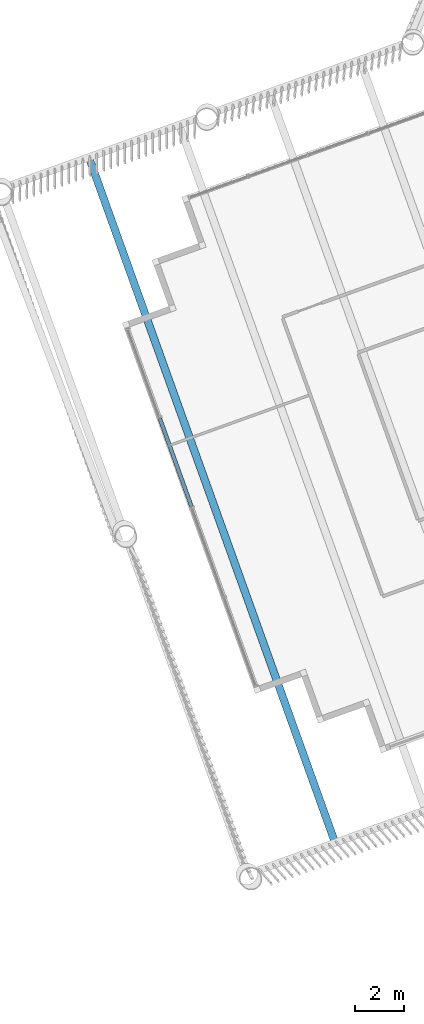
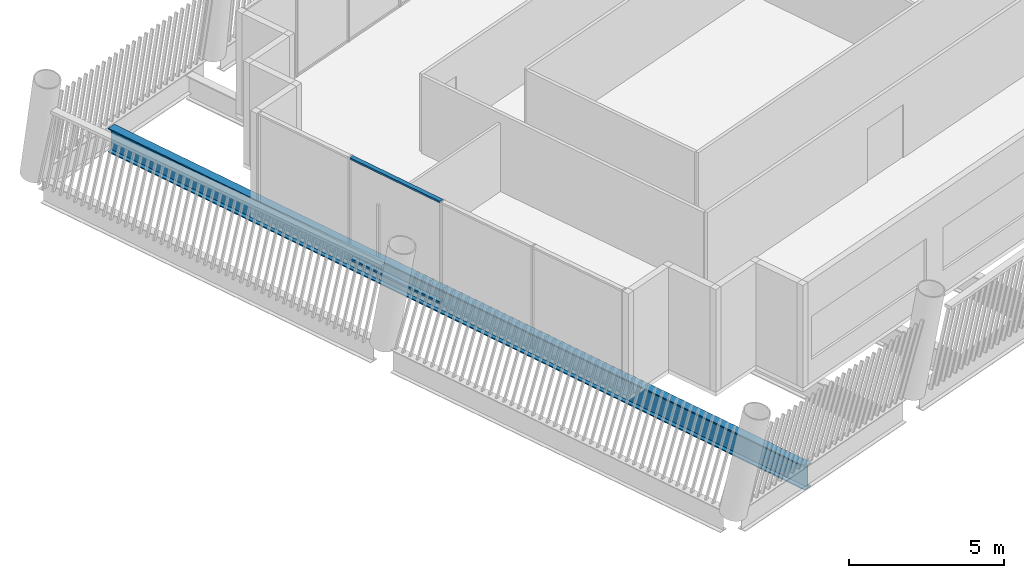
# One storey, part 3 of 28: 2 members, 1 beam, 1 element without a shape of its own.
"""IFC4 building model written with IfcOpenShell, lengths in metres."""

from ifc_helpers import new_model, si_unit, direction, frame, origin, origin_2d, place, context, subcontext, project, spatial, hollow_rectangle, i_section, extrude, material, layer, layer_set, material_profile, profile_set, type_object, element, aggregate, save


model = new_model("IFC4")

# Units and contexts
model_context = context("Model", 3, precision=1e-05, world=origin(), true_north=direction((0.0, 1.0)))
body_context = subcontext(model_context, "Body", "Model", "MODEL_VIEW")
ifc_project = project(units=[si_unit("LENGTHUNIT", "METRE"), si_unit("AREAUNIT", "SQUARE_METRE"), si_unit("VOLUMEUNIT", "CUBIC_METRE"), si_unit("PLANEANGLEUNIT", "RADIAN"), si_unit("MASSUNIT", "GRAM", prefix="KILO")], contexts=[model_context])

# Site, building, storey
site_placement = place(None, origin())
site = spatial("IfcSite", under=ifc_project, at=site_placement, CompositionType="ELEMENT")
building_placement = place(site_placement, origin())
building = spatial("IfcBuilding", under=site, at=building_placement, Name="Tarsis Ring Headquarters", CompositionType="ELEMENT")
storey_placement = place(building_placement, frame((0.0, 0.0, 365.0)))
storey = spatial("IfcBuildingStorey", under=building, at=storey_placement, Name="L86", CompositionType="ELEMENT", Elevation=365.0)

# Curtain wall, members
ifc_material_1 = material(Name="Aluminium curtain wall", Category="aluminium")
ifc_layer = layer(ifc_material_1, 0.199951171875)
ifc_layer_set = layer_set([ifc_layer], Name="Curtain wall executive tip")
curtain_wall_type = type_object("IfcCurtainWallType", Name="Curtain wall executive tip", PredefinedType="NOTDEFINED", material=ifc_layer_set)
curtain_wall_placement = place(storey_placement, origin())
curtain_wall = element("IfcCurtainWall", 1, at=curtain_wall_placement, inside=storey, type_object=curtain_wall_type, Name="Curtain wall L86-36", PredefinedType="NOTDEFINED")
ifc_material_2 = material(Name="Aluminium transom", Category="aluminium")
ifc_material_profile_1 = material_profile(ifc_material_2, hollow_rectangle(XDim=0.159912109375, YDim=0.070068359375, WallThickness=0.0048828125, at=origin_2d()), Name="RHS 160x70x5")
ifc_profile_set_1 = profile_set([ifc_material_profile_1], Name="Aluminium transom")
member_type = type_object("IfcMemberType", Name="Curtain wall transom executive tip RHS 160x70x5", PredefinedType="USERDEFINED", material=ifc_profile_set_1)
member_1_placement = place(storey_placement, frame((-38.8251953125, -9.8671875, 0.034912109375), z_axis=(0.338087734932, -0.941114596364, 0.0), x_axis=(0.941114596364, 0.338087734932, 0.0)))
member_1 = element("IfcMember", 2, at=member_1_placement, type_object=member_type, Name="CW-E transom 2.1", ObjectType="TRANSOM", PredefinedType="USERDEFINED", context=body_context, shape_type="SweptSolid", body=[
    extrude(hollow_rectangle(XDim=0.159912109375, YDim=0.070068359375, WallThickness=0.0048828125, at=origin_2d()), origin(), (0.0, 0.0, 1.0), 3.804931640625),
])
member_2_placement = place(storey_placement, frame((-38.8251953125, -9.8671875, 4.0048828125), z_axis=(0.338087734932, -0.941114596364, 0.0), x_axis=(0.941114596364, 0.338087734932, 0.0)))
member_2 = element("IfcMember", 3, at=member_2_placement, type_object=member_type, Name="CW-E transom 2.2", ObjectType="TRANSOM", PredefinedType="USERDEFINED", context=body_context, shape_type="SweptSolid", body=[
    extrude(hollow_rectangle(XDim=0.159912109375, YDim=0.070068359375, WallThickness=0.0048828125, at=origin_2d()), origin(), (0.0, 0.0, 1.0), 3.804931640625),
])
aggregate(curtain_wall, [member_1, member_2])

# Beam
ifc_material_3 = material(Name="Structural steel S355", Category="steel")
ifc_material_profile_2 = material_profile(ifc_material_3, i_section(OverallWidth=0.309814453125, OverallDepth=0.949951171875, WebThickness=0.0244140625, FlangeThickness=0.0439453125, at=origin_2d()), Name="W36x256")
ifc_profile_set_2 = profile_set([ifc_material_profile_2], Name="Structural steel S355")
beam_type = type_object("IfcBeamType", Name="FB Floor beam W36x256", PredefinedType="JOIST", material=ifc_profile_set_2)
beam_placement = place(storey_placement, frame((-41.689453125, 0.694091796875, -0.635009765625), z_axis=(0.338077196776, -0.941118382044, 0.0), x_axis=(0.941118382044, 0.338077196776, 0.0)))
element("IfcBeam", 4, at=beam_placement, inside=storey, type_object=beam_type, Name="Floor beam FB11", PredefinedType="JOIST", context=body_context, shape_type="SweptSolid", body=[
    extrude(i_section(OverallWidth=0.309814453125, OverallDepth=0.949951171875, WebThickness=0.0244140625, FlangeThickness=0.0439453125, at=origin_2d()), origin(), (0.0, 0.0, 1.0), 29.495361328125),
])

save(model, "model.ifc")
